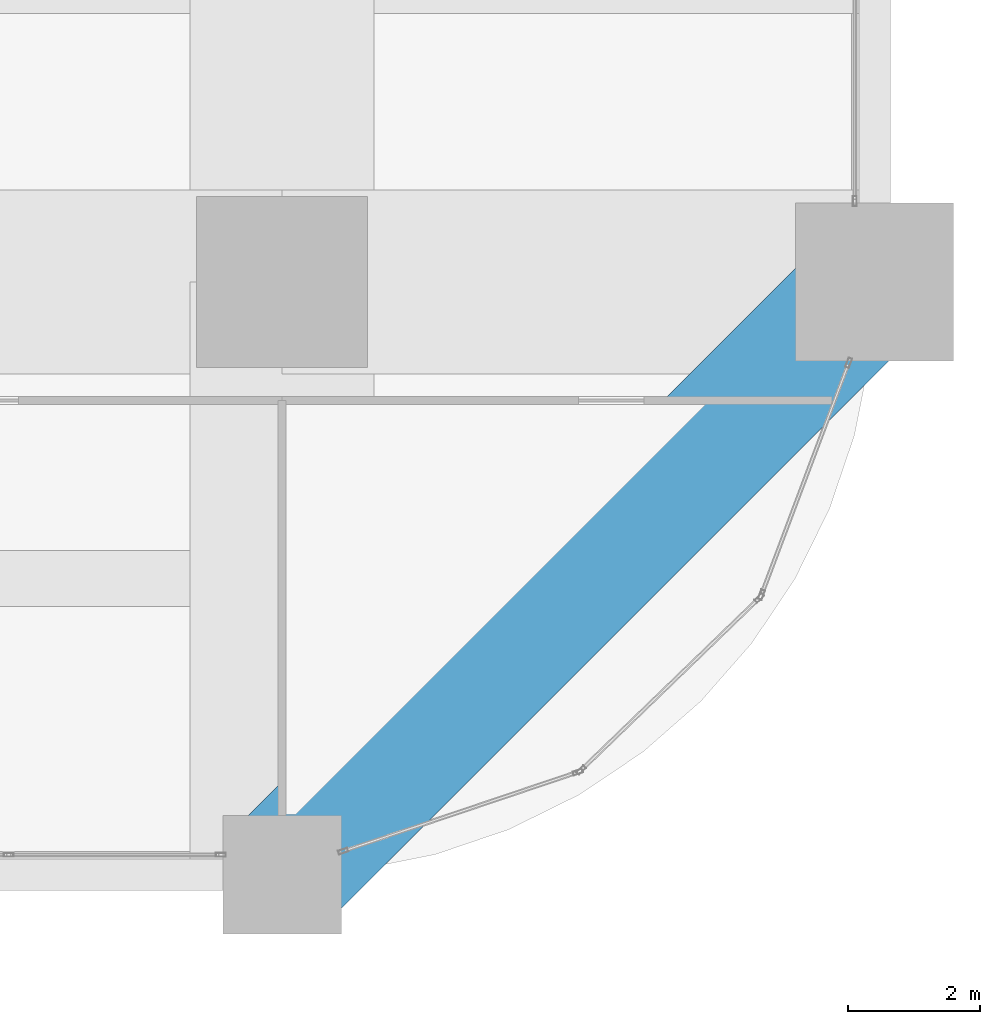
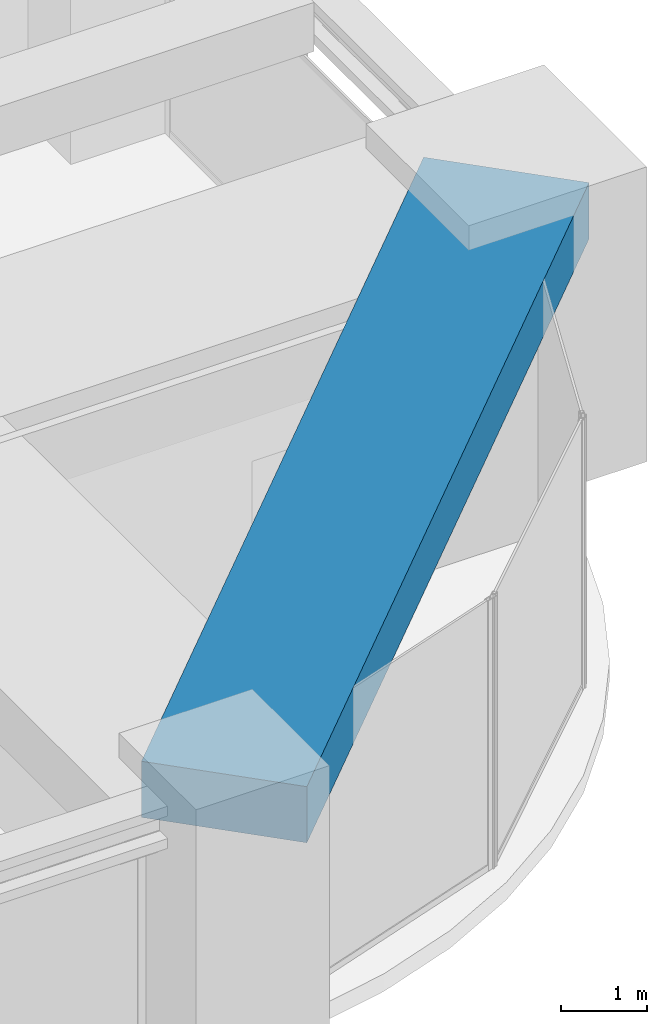
# One storey, part 19 of 45: 1 beam.
"""IFC4 building model written with IfcOpenShell, lengths in metres."""

import ifcopenshell
import ifcopenshell.guid

model = None  # the IFC model being written
_history = None  # IfcOwnerHistory: only IFC2X3 demands one
_inside = {}  # id of a spatial element -> (the spatial element, [elements in it])
_under = {}  # id of a project, library or spatial element -> (it, [spatial elements below it])
_declared = {}  # id of a project -> (the project, [libraries it declares])
_typed = {}  # id of a type object -> (the type object, [elements of that type])
_made_of = {}  # id of a material, layer set ... -> (it, [elements and type objects made of it])


def new_model(schema):
    """Start an empty IFC model of exactly this schema.

    Asked for "IFC4X3", IfcOpenShell would pick the latest addendum, in which some entities
    have other attributes; the version numbers below select the first issue.
    IFC2X3 requires an IfcOwnerHistory on every rooted entity: one is made here for all.
    """
    global model, _history
    if schema == "IFC4X3":
        model = ifcopenshell.file(schema_version=(4, 3, 0, 0))
    else:
        model = ifcopenshell.file(schema=schema)
    _inside.clear()
    _under.clear()
    _declared.clear()
    _typed.clear()
    _made_of.clear()
    _history = None
    if model.schema == "IFC2X3":
        org = make("IfcOrganization", Name="unknown")
        user = make(
            "IfcPersonAndOrganization",
            ThePerson=make("IfcPerson", FamilyName="unknown"),
            TheOrganization=org,
        )
        app = make(
            "IfcApplication",
            ApplicationDeveloper=org,
            Version="unknown",
            ApplicationFullName="unknown",
            ApplicationIdentifier="unknown",
        )
        _history = make(
            "IfcOwnerHistory",
            OwningUser=user,
            OwningApplication=app,
            ChangeAction="ADDED",
            CreationDate=0,
        )
    return model


def make(cls, **values):
    """One entity of the class cls with the attributes given. An attribute that is None is left unset."""
    return model.create_entity(
        cls, **{name: value for name, value in values.items() if value is not None}
    )


def rooted(cls, **values):
    """An entity with a GlobalId (a new one), such as an element, a storey or a relation."""
    return make(cls, GlobalId=ifcopenshell.guid.new(), OwnerHistory=_history, **values)


def si_unit(unit_type, name, prefix=None):
    """IfcSIUnit, for example si_unit("LENGTHUNIT", "METRE", prefix="MILLI")."""
    return make("IfcSIUnit", UnitType=unit_type, Prefix=prefix, Name=name)


def assignment(units):
    """IfcUnitAssignment: the units of a project."""
    return None if units is None else make("IfcUnitAssignment", Units=units)


def point(xyz):
    """IfcCartesianPoint."""
    return None if xyz is None else make("IfcCartesianPoint", Coordinates=xyz)


def direction(xyz):
    """IfcDirection."""
    return None if xyz is None else make("IfcDirection", DirectionRatios=xyz)


def frame(location, z_axis=None, x_axis=None):
    """IfcAxis2Placement3D, a coordinate frame: its origin and axes. An axis left out is left unset."""
    return make(
        "IfcAxis2Placement3D",
        Location=point(location),
        Axis=direction(z_axis),
        RefDirection=direction(x_axis),
    )


def frame_2d(location, x_axis=None):
    """IfcAxis2Placement2D, a coordinate frame in the plane: its origin and x axis."""
    return make(
        "IfcAxis2Placement2D", Location=point(location), RefDirection=direction(x_axis)
    )


def origin():
    """The frame at (0, 0, 0) with its axes left unset."""
    return frame((0.0, 0.0, 0.0))


def origin_2d():
    """The frame at (0, 0) in the plane with its x axis left unset."""
    return frame_2d((0.0, 0.0))


def place(relative_to, where):
    """IfcLocalPlacement: puts the frame where relative to a parent placement (None: the world)."""
    return make(
        "IfcLocalPlacement", PlacementRelTo=relative_to, RelativePlacement=where
    )


def context(
    kind, dimensions, precision=None, world=None, true_north=None, identifier=None
):
    """IfcGeometricRepresentationContext, for example the 3D "Model" context."""
    return make(
        "IfcGeometricRepresentationContext",
        ContextIdentifier=identifier,
        ContextType=kind,
        CoordinateSpaceDimension=dimensions,
        Precision=precision,
        WorldCoordinateSystem=world,
        TrueNorth=true_north,
    )


def subcontext(parent, identifier, kind, view, scale=None):
    """IfcGeometricRepresentationSubContext, for example "Body" below "Model"."""
    return make(
        "IfcGeometricRepresentationSubContext",
        ContextIdentifier=identifier,
        ContextType=kind,
        ParentContext=parent,
        TargetScale=scale,
        TargetView=view,
    )


def project(units=None, contexts=None):
    """IfcProject with its units and contexts."""
    return rooted(
        "IfcProject",
        Name="project",
        RepresentationContexts=contexts,
        UnitsInContext=assignment(units),
    )


def spatial(cls, under=None, at=None, **own):
    """A site, building, storey or space (cls), placed at a placement, below another one or the project."""
    s = rooted(cls, ObjectPlacement=at, **own)
    if under is not None:
        _under.setdefault(under.id(), (under, []))[1].append(s)
    return s


def profile(cls, at=None, kind="AREA", **sizes):
    """A parametric profile (cls). Its sizes go by their IFC names, for example OverallWidth=200.0."""
    return make(cls, ProfileType=kind, Position=at, **sizes)


def rectangle(**sizes):
    """IfcRectangleProfileDef."""
    return profile("IfcRectangleProfileDef", **sizes)


def extrude(swept, where, along, depth):
    """IfcExtrudedAreaSolid: the profile swept, set in the frame where, extruded along a direction by depth."""
    return make(
        "IfcExtrudedAreaSolid",
        SweptArea=swept,
        Position=where,
        ExtrudedDirection=direction(along),
        Depth=depth,
    )


def shape(context_of_items, identifier, shape_type, items):
    """IfcShapeRepresentation: the items that make up one representation, for example the "Body"."""
    return make(
        "IfcShapeRepresentation",
        ContextOfItems=context_of_items,
        RepresentationIdentifier=identifier,
        RepresentationType=shape_type,
        Items=items,
    )


def material(Name=None, Category=None):
    """IfcMaterial."""
    return make("IfcMaterial", Name=Name, Category=Category)


def material_profile(
    of_material, cross_section, Name=None, Category=None, Priority=None
):
    """IfcMaterialProfile: a cross section and its material."""
    return make(
        "IfcMaterialProfile",
        Name=Name,
        Material=of_material,
        Profile=cross_section,
        Priority=Priority,
        Category=Category,
    )


def profile_set(profiles, Name=None, composite=None):
    """IfcMaterialProfileSet."""
    return make(
        "IfcMaterialProfileSet",
        Name=Name,
        MaterialProfiles=profiles,
        CompositeProfile=composite,
    )


def made_of(thing, what):
    """Note that an element or type object is made of a material, layer set ...; save() writes the relation."""
    if what is not None:
        _made_of.setdefault(what.id(), (what, []))[1].append(thing)
    return thing


def type_object(cls, material=None, **own):
    """A type object (cls), such as IfcWallType, which elements share."""
    return made_of(rooted(cls, **own), material)


def element(
    cls,
    number,
    at=None,
    inside=None,
    cuts=None,
    type_object=None,
    material=None,
    context=None,
    identifier="Body",
    shape_type=None,
    held_by="IfcProductDefinitionShape",
    body=None,
    shapes=None,
    **own,
):
    """One element of the class cls, such as IfcWall. Its Tag is "e" and its number.

    at: its placement. inside: the storey or other place that contains it. cuts: it is an
    opening in that element (IfcRelVoidsElement). A single representation is given by context,
    identifier, shape_type and body (its items); several are given by shapes. held_by: the class
    of the entity that holds the representations. save() writes the other relations.
    """
    e = rooted(cls, Tag="e%d" % number, ObjectPlacement=at, **own)
    if body is not None:
        shapes = [shape(context, identifier, shape_type, body)]
    if shapes is not None:
        e.Representation = make(held_by, Representations=shapes)
    if inside is not None:
        _inside.setdefault(inside.id(), (inside, []))[1].append(e)
    if cuts is not None:
        rooted(
            "IfcRelVoidsElement", RelatingBuildingElement=cuts, RelatedOpeningElement=e
        )
    if type_object is not None:
        _typed.setdefault(type_object.id(), (type_object, []))[1].append(e)
    return made_of(e, material)


def aggregate(whole, parts):
    """IfcRelAggregates: a whole, such as a stair, and the parts it consists of."""
    return rooted("IfcRelAggregates", RelatingObject=whole, RelatedObjects=parts)


def save(model, path):
    """Write the relations noted so far, then the file.

    IfcRelAggregates (storeys below a building ...), IfcRelContainedInSpatialStructure (elements
    in a storey), IfcRelDefinesByType, IfcRelAssociatesMaterial and IfcRelDeclares: one each for
    every whole, place, type object, material and project.
    """
    for whole, parts in _under.values():
        aggregate(whole, parts)
    for where, things in _inside.values():
        rooted(
            "IfcRelContainedInSpatialStructure",
            RelatedElements=things,
            RelatingStructure=where,
        )
    for kind, things in _typed.values():
        rooted("IfcRelDefinesByType", RelatedObjects=things, RelatingType=kind)
    for what, things in _made_of.values():
        rooted("IfcRelAssociatesMaterial", RelatedObjects=things, RelatingMaterial=what)
    for by, libraries in _declared.values():
        rooted("IfcRelDeclares", RelatingContext=by, RelatedDefinitions=libraries)
    model.write(path)


model = new_model("IFC4")

# Units and contexts
model_context = context("Model", 3, precision=1e-05, world=origin(), true_north=direction((0.0, 1.0)))
body_context = subcontext(model_context, "Body", "Model", "MODEL_VIEW")
ifc_project = project(units=[si_unit("LENGTHUNIT", "METRE"), si_unit("AREAUNIT", "SQUARE_METRE"), si_unit("VOLUMEUNIT", "CUBIC_METRE"), si_unit("PLANEANGLEUNIT", "RADIAN"), si_unit("MASSUNIT", "GRAM", prefix="KILO")], contexts=[model_context])

# Site, building, storey
site_placement = place(None, origin())
site = spatial("IfcSite", under=ifc_project, at=site_placement, CompositionType="ELEMENT")
building_placement = place(site_placement, origin())
building = spatial("IfcBuilding", under=site, at=building_placement, Name="Zorevar Civic Tower", CompositionType="ELEMENT")
storey_placement = place(building_placement, frame((0.0, 0.0, 153.0)))
storey = spatial("IfcBuildingStorey", under=building, at=storey_placement, Name="L37", CompositionType="ELEMENT", Elevation=153.0)

# Beam
ifc_material = material(Name="Concrete C50/60", Category="concrete")
ifc_material_profile = material_profile(ifc_material, rectangle(XDim=2.0, YDim=0.800048828125, at=origin_2d()), Name="RC 2000x800")
ifc_profile_set = profile_set([ifc_material_profile], Name="Concrete C50/60")
beam_type = type_object("IfcBeamType", Name="Edge beam RC 2000x800", PredefinedType="SPANDREL", material=ifc_profile_set)
beam_placement = place(storey_placement, frame((54.0, 0.0, 3.449951171875), z_axis=(0.707106781187, 0.707106781187, 0.0), x_axis=(-0.707106781187, 0.707106781187, 0.0)))
element("IfcBeam", 1, at=beam_placement, inside=storey, type_object=beam_type, Name="Corner edge beam L38", PredefinedType="SPANDREL", context=body_context, shape_type="SweptSolid", body=[
    extrude(rectangle(XDim=2.0, YDim=0.800048828125, at=origin_2d()), origin(), (0.0, 0.0, 1.0), 12.72802734375),
])

save(model, "model.ifc")
